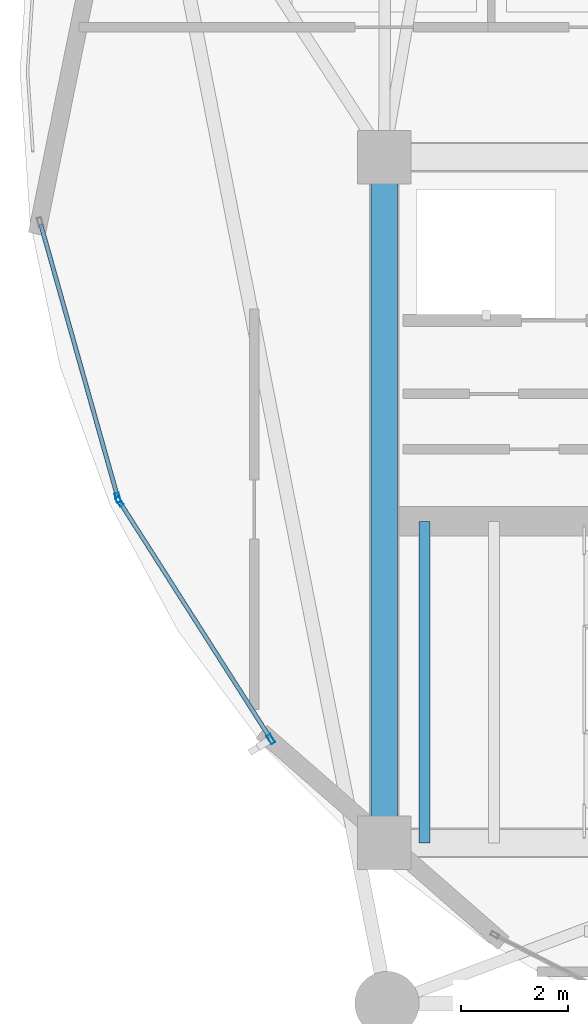
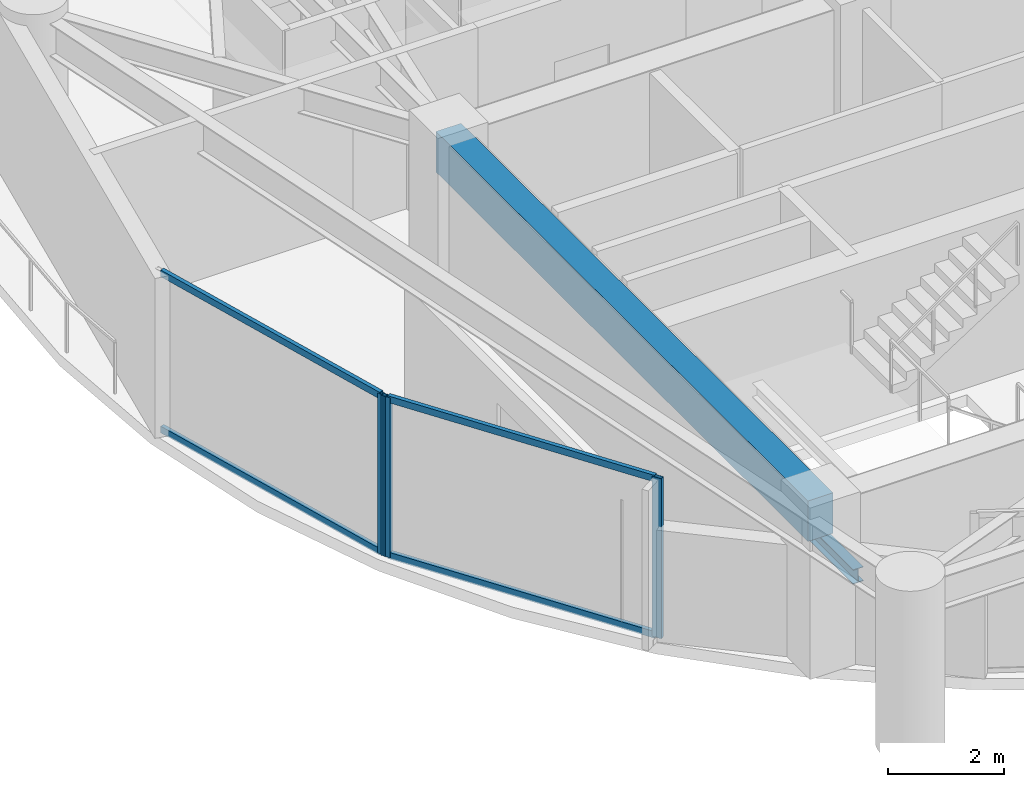
# One storey, part 3 of 28: 7 members, 2 beams, 2 elements without a shape of their own.
"""IFC4 building model written with IfcOpenShell, lengths in metres."""

import ifcopenshell
import ifcopenshell.guid

model = None  # the IFC model being written
_history = None  # IfcOwnerHistory: only IFC2X3 demands one
_inside = {}  # id of a spatial element -> (the spatial element, [elements in it])
_under = {}  # id of a project, library or spatial element -> (it, [spatial elements below it])
_declared = {}  # id of a project -> (the project, [libraries it declares])
_typed = {}  # id of a type object -> (the type object, [elements of that type])
_made_of = {}  # id of a material, layer set ... -> (it, [elements and type objects made of it])


def new_model(schema):
    """Start an empty IFC model of exactly this schema.

    Asked for "IFC4X3", IfcOpenShell would pick the latest addendum, in which some entities
    have other attributes; the version numbers below select the first issue.
    IFC2X3 requires an IfcOwnerHistory on every rooted entity: one is made here for all.
    """
    global model, _history
    if schema == "IFC4X3":
        model = ifcopenshell.file(schema_version=(4, 3, 0, 0))
    else:
        model = ifcopenshell.file(schema=schema)
    _inside.clear()
    _under.clear()
    _declared.clear()
    _typed.clear()
    _made_of.clear()
    _history = None
    if model.schema == "IFC2X3":
        org = make("IfcOrganization", Name="unknown")
        user = make(
            "IfcPersonAndOrganization",
            ThePerson=make("IfcPerson", FamilyName="unknown"),
            TheOrganization=org,
        )
        app = make(
            "IfcApplication",
            ApplicationDeveloper=org,
            Version="unknown",
            ApplicationFullName="unknown",
            ApplicationIdentifier="unknown",
        )
        _history = make(
            "IfcOwnerHistory",
            OwningUser=user,
            OwningApplication=app,
            ChangeAction="ADDED",
            CreationDate=0,
        )
    return model


def make(cls, **values):
    """One entity of the class cls with the attributes given. An attribute that is None is left unset."""
    return model.create_entity(
        cls, **{name: value for name, value in values.items() if value is not None}
    )


def rooted(cls, **values):
    """An entity with a GlobalId (a new one), such as an element, a storey or a relation."""
    return make(cls, GlobalId=ifcopenshell.guid.new(), OwnerHistory=_history, **values)


def si_unit(unit_type, name, prefix=None):
    """IfcSIUnit, for example si_unit("LENGTHUNIT", "METRE", prefix="MILLI")."""
    return make("IfcSIUnit", UnitType=unit_type, Prefix=prefix, Name=name)


def assignment(units):
    """IfcUnitAssignment: the units of a project."""
    return None if units is None else make("IfcUnitAssignment", Units=units)


def point(xyz):
    """IfcCartesianPoint."""
    return None if xyz is None else make("IfcCartesianPoint", Coordinates=xyz)


def direction(xyz):
    """IfcDirection."""
    return None if xyz is None else make("IfcDirection", DirectionRatios=xyz)


def frame(location, z_axis=None, x_axis=None):
    """IfcAxis2Placement3D, a coordinate frame: its origin and axes. An axis left out is left unset."""
    return make(
        "IfcAxis2Placement3D",
        Location=point(location),
        Axis=direction(z_axis),
        RefDirection=direction(x_axis),
    )


def frame_2d(location, x_axis=None):
    """IfcAxis2Placement2D, a coordinate frame in the plane: its origin and x axis."""
    return make(
        "IfcAxis2Placement2D", Location=point(location), RefDirection=direction(x_axis)
    )


def origin():
    """The frame at (0, 0, 0) with its axes left unset."""
    return frame((0.0, 0.0, 0.0))


def origin_2d():
    """The frame at (0, 0) in the plane with its x axis left unset."""
    return frame_2d((0.0, 0.0))


def place(relative_to, where):
    """IfcLocalPlacement: puts the frame where relative to a parent placement (None: the world)."""
    return make(
        "IfcLocalPlacement", PlacementRelTo=relative_to, RelativePlacement=where
    )


def context(
    kind, dimensions, precision=None, world=None, true_north=None, identifier=None
):
    """IfcGeometricRepresentationContext, for example the 3D "Model" context."""
    return make(
        "IfcGeometricRepresentationContext",
        ContextIdentifier=identifier,
        ContextType=kind,
        CoordinateSpaceDimension=dimensions,
        Precision=precision,
        WorldCoordinateSystem=world,
        TrueNorth=true_north,
    )


def subcontext(parent, identifier, kind, view, scale=None):
    """IfcGeometricRepresentationSubContext, for example "Body" below "Model"."""
    return make(
        "IfcGeometricRepresentationSubContext",
        ContextIdentifier=identifier,
        ContextType=kind,
        ParentContext=parent,
        TargetScale=scale,
        TargetView=view,
    )


def project(units=None, contexts=None):
    """IfcProject with its units and contexts."""
    return rooted(
        "IfcProject",
        Name="project",
        RepresentationContexts=contexts,
        UnitsInContext=assignment(units),
    )


def spatial(cls, under=None, at=None, **own):
    """A site, building, storey or space (cls), placed at a placement, below another one or the project."""
    s = rooted(cls, ObjectPlacement=at, **own)
    if under is not None:
        _under.setdefault(under.id(), (under, []))[1].append(s)
    return s


def profile(cls, at=None, kind="AREA", **sizes):
    """A parametric profile (cls). Its sizes go by their IFC names, for example OverallWidth=200.0."""
    return make(cls, ProfileType=kind, Position=at, **sizes)


def rectangle(**sizes):
    """IfcRectangleProfileDef."""
    return profile("IfcRectangleProfileDef", **sizes)


def hollow_rectangle(**sizes):
    """IfcRectangleHollowProfileDef."""
    return profile("IfcRectangleHollowProfileDef", **sizes)


def i_section(**sizes):
    """IfcIShapeProfileDef."""
    return profile("IfcIShapeProfileDef", **sizes)


def extrude(swept, where, along, depth):
    """IfcExtrudedAreaSolid: the profile swept, set in the frame where, extruded along a direction by depth."""
    return make(
        "IfcExtrudedAreaSolid",
        SweptArea=swept,
        Position=where,
        ExtrudedDirection=direction(along),
        Depth=depth,
    )


def shape(context_of_items, identifier, shape_type, items):
    """IfcShapeRepresentation: the items that make up one representation, for example the "Body"."""
    return make(
        "IfcShapeRepresentation",
        ContextOfItems=context_of_items,
        RepresentationIdentifier=identifier,
        RepresentationType=shape_type,
        Items=items,
    )


def material(Name=None, Category=None):
    """IfcMaterial."""
    return make("IfcMaterial", Name=Name, Category=Category)


def layer(
    of_material, thickness, ventilated=None, Name=None, Category=None, Priority=None
):
    """IfcMaterialLayer: one layer of a wall or slab, of a material (None: an air gap)."""
    return make(
        "IfcMaterialLayer",
        Material=of_material,
        LayerThickness=thickness,
        IsVentilated=ventilated,
        Name=Name,
        Category=Category,
        Priority=Priority,
    )


def layer_set(layers, Name=None):
    """IfcMaterialLayerSet."""
    return make("IfcMaterialLayerSet", MaterialLayers=layers, LayerSetName=Name)


def material_profile(
    of_material, cross_section, Name=None, Category=None, Priority=None
):
    """IfcMaterialProfile: a cross section and its material."""
    return make(
        "IfcMaterialProfile",
        Name=Name,
        Material=of_material,
        Profile=cross_section,
        Priority=Priority,
        Category=Category,
    )


def profile_set(profiles, Name=None, composite=None):
    """IfcMaterialProfileSet."""
    return make(
        "IfcMaterialProfileSet",
        Name=Name,
        MaterialProfiles=profiles,
        CompositeProfile=composite,
    )


def made_of(thing, what):
    """Note that an element or type object is made of a material, layer set ...; save() writes the relation."""
    if what is not None:
        _made_of.setdefault(what.id(), (what, []))[1].append(thing)
    return thing


def type_object(cls, material=None, **own):
    """A type object (cls), such as IfcWallType, which elements share."""
    return made_of(rooted(cls, **own), material)


def element(
    cls,
    number,
    at=None,
    inside=None,
    cuts=None,
    type_object=None,
    material=None,
    context=None,
    identifier="Body",
    shape_type=None,
    held_by="IfcProductDefinitionShape",
    body=None,
    shapes=None,
    **own,
):
    """One element of the class cls, such as IfcWall. Its Tag is "e" and its number.

    at: its placement. inside: the storey or other place that contains it. cuts: it is an
    opening in that element (IfcRelVoidsElement). A single representation is given by context,
    identifier, shape_type and body (its items); several are given by shapes. held_by: the class
    of the entity that holds the representations. save() writes the other relations.
    """
    e = rooted(cls, Tag="e%d" % number, ObjectPlacement=at, **own)
    if body is not None:
        shapes = [shape(context, identifier, shape_type, body)]
    if shapes is not None:
        e.Representation = make(held_by, Representations=shapes)
    if inside is not None:
        _inside.setdefault(inside.id(), (inside, []))[1].append(e)
    if cuts is not None:
        rooted(
            "IfcRelVoidsElement", RelatingBuildingElement=cuts, RelatedOpeningElement=e
        )
    if type_object is not None:
        _typed.setdefault(type_object.id(), (type_object, []))[1].append(e)
    return made_of(e, material)


def aggregate(whole, parts):
    """IfcRelAggregates: a whole, such as a stair, and the parts it consists of."""
    return rooted("IfcRelAggregates", RelatingObject=whole, RelatedObjects=parts)


def save(model, path):
    """Write the relations noted so far, then the file.

    IfcRelAggregates (storeys below a building ...), IfcRelContainedInSpatialStructure (elements
    in a storey), IfcRelDefinesByType, IfcRelAssociatesMaterial and IfcRelDeclares: one each for
    every whole, place, type object, material and project.
    """
    for whole, parts in _under.values():
        aggregate(whole, parts)
    for where, things in _inside.values():
        rooted(
            "IfcRelContainedInSpatialStructure",
            RelatedElements=things,
            RelatingStructure=where,
        )
    for kind, things in _typed.values():
        rooted("IfcRelDefinesByType", RelatedObjects=things, RelatingType=kind)
    for what, things in _made_of.values():
        rooted("IfcRelAssociatesMaterial", RelatedObjects=things, RelatingMaterial=what)
    for by, libraries in _declared.values():
        rooted("IfcRelDeclares", RelatingContext=by, RelatedDefinitions=libraries)
    model.write(path)


model = new_model("IFC4")

# Units and contexts
model_context = context("Model", 3, precision=1e-05, world=origin(), true_north=direction((0.0, 1.0)))
body_context = subcontext(model_context, "Body", "Model", "MODEL_VIEW")
ifc_project = project(units=[si_unit("LENGTHUNIT", "METRE"), si_unit("AREAUNIT", "SQUARE_METRE"), si_unit("VOLUMEUNIT", "CUBIC_METRE"), si_unit("PLANEANGLEUNIT", "RADIAN"), si_unit("MASSUNIT", "GRAM", prefix="KILO")], contexts=[model_context])

# Site, building, storey
site_placement = place(None, origin())
site = spatial("IfcSite", under=ifc_project, at=site_placement, CompositionType="ELEMENT")
building_placement = place(site_placement, origin())
building = spatial("IfcBuilding", under=site, at=building_placement, Name="Kazevale Care Tower and Concert Hall", CompositionType="ELEMENT")
storey_placement = place(building_placement, frame((0.0, 0.0, 109.800048828125)))
storey = spatial("IfcBuildingStorey", under=building, at=storey_placement, Name="L28", CompositionType="ELEMENT", Elevation=109.800048828125)

# Curtain wall, members
ifc_material_1 = material(Name="Aluminium 6063-T6 and Low-E Glass", Category="aluminium")
ifc_layer = layer(ifc_material_1, 0.179931640625)
ifc_layer_set = layer_set([ifc_layer], Name="Aluminium 6063-T6 and Low-E Glass")
curtain_wall_type = type_object("IfcCurtainWallType", Name="Waist & Upper Residential Curtain Wall CW-4", PredefinedType="NOTDEFINED", material=ifc_layer_set)
curtain_wall_1_placement = place(storey_placement, origin())
curtain_wall_1 = element("IfcCurtainWall", 1, at=curtain_wall_1_placement, inside=storey, type_object=curtain_wall_type, Name="cw:L28:f11", PredefinedType="NOTDEFINED")
ifc_material_2 = material(Name="Aluminium 6063-T6", Category="aluminium")
ifc_material_profile_1 = material_profile(ifc_material_2, hollow_rectangle(XDim=0.080078125, YDim=0.179931640625, WallThickness=0.0048828125, at=origin_2d()), Name="ALU80x180x5")
ifc_profile_set_1 = profile_set([ifc_material_profile_1], Name="Aluminium 6063-T6")
member_type_1 = type_object("IfcMemberType", Name="CW-4 Mullion ALU80x180x5", PredefinedType="MULLION", material=ifc_profile_set_1)
member_1_placement = place(storey_placement, frame((19.882568359375, 25.53564453125, 0.0), z_axis=(0.0, 0.0, 1.0), x_axis=(-0.843429930967, -0.537239193981, 0.0)))
member_1 = element("IfcMember", 2, at=member_1_placement, type_object=member_type_1, Name="CW-4 mullion 1", PredefinedType="MULLION", context=body_context, shape_type="SweptSolid", body=[
    extrude(hollow_rectangle(XDim=0.080078125, YDim=0.179931640625, WallThickness=0.0048828125, at=origin_2d()), origin(), (0.0, 0.0, 1.0), 3.35986328125),
])
member_2_placement = place(storey_placement, frame((17.05859375, 29.96923828125, 0.0), z_axis=(0.0, 0.0, 1.0), x_axis=(-0.843429930967, -0.537239193981, 0.0)))
member_2 = element("IfcMember", 3, at=member_2_placement, type_object=member_type_1, Name="CW-4 mullion 2", PredefinedType="MULLION", context=body_context, shape_type="SweptSolid", body=[
    extrude(hollow_rectangle(XDim=0.080078125, YDim=0.179931640625, WallThickness=0.0048828125, at=origin_2d()), origin(), (0.0, 0.0, 1.0), 3.35986328125),
])

# Curtain wall, member
curtain_wall_2_placement = place(storey_placement, origin())
curtain_wall_2 = element("IfcCurtainWall", 4, at=curtain_wall_2_placement, inside=storey, type_object=curtain_wall_type, Name="cw:L28:f12", PredefinedType="NOTDEFINED")
member_3_placement = place(storey_placement, frame((17.026123046875, 30.04150390625, 0.0), z_axis=(0.0, 0.0, 1.0), x_axis=(-0.962499078876, -0.271284948278, 0.0)))
member_3 = element("IfcMember", 5, at=member_3_placement, type_object=member_type_1, Name="CW-4 mullion 1", PredefinedType="MULLION", context=body_context, shape_type="SweptSolid", body=[
    extrude(hollow_rectangle(XDim=0.080078125, YDim=0.179931640625, WallThickness=0.0048828125, at=origin_2d()), origin(), (0.0, 0.0, 1.0), 3.35986328125),
])

# Member
ifc_material_profile_2 = material_profile(ifc_material_2, hollow_rectangle(XDim=0.080078125, YDim=0.139892578125, WallThickness=0.00390625, at=origin_2d()), Name="ALU80x140x4")
ifc_profile_set_2 = profile_set([ifc_material_profile_2], Name="Aluminium 6063-T6")
member_type_2 = type_object("IfcMemberType", Name="CW-4 Transom ALU80x140x4", PredefinedType="USERDEFINED", material=ifc_profile_set_2)
member_4_placement = place(storey_placement, frame((19.861083984375, 25.569580078125, 0.0400390625), z_axis=(-0.537241653837, 0.843428364109, 0.0), x_axis=(-0.843428364109, -0.537241653837, 0.0)))
member_4 = element("IfcMember", 6, at=member_4_placement, type_object=member_type_2, Name="CW-4 transom 1.1", ObjectType="TRANSOM", PredefinedType="USERDEFINED", context=body_context, shape_type="SweptSolid", body=[
    extrude(hollow_rectangle(XDim=0.080078125, YDim=0.139892578125, WallThickness=0.00390625, at=origin_2d()), origin(), (0.0, 0.0, 1.0), 5.176513671875),
])

member_5_placement = place(storey_placement, frame((19.861083984375, 25.569580078125, 3.320068359375), z_axis=(-0.537241653837, 0.843428364109, 0.0), x_axis=(-0.843428364109, -0.537241653837, 0.0)))
member_5 = element("IfcMember", 7, at=member_5_placement, type_object=member_type_2, Name="CW-4 transom 1.2", ObjectType="TRANSOM", PredefinedType="USERDEFINED", context=body_context, shape_type="SweptSolid", body=[
    extrude(hollow_rectangle(XDim=0.080078125, YDim=0.139892578125, WallThickness=0.00390625, at=origin_2d()), origin(), (0.0, 0.0, 1.0), 5.176513671875),
])

aggregate(curtain_wall_1, [member_1, member_2, member_4, member_5])

member_6_placement = place(storey_placement, frame((17.015380859375, 30.080078125, 0.0400390625), z_axis=(-0.271312503244, 0.962491311952, 0.0), x_axis=(-0.962491311952, -0.271312503244, 0.0)))
member_6 = element("IfcMember", 8, at=member_6_placement, type_object=member_type_2, Name="CW-4 transom 1.1", ObjectType="TRANSOM", PredefinedType="USERDEFINED", context=body_context, shape_type="SweptSolid", body=[
    extrude(hollow_rectangle(XDim=0.080078125, YDim=0.139892578125, WallThickness=0.00390625, at=origin_2d()), origin(), (0.0, 0.0, 1.0), 5.26220703125),
])

member_7_placement = place(storey_placement, frame((17.015380859375, 30.080078125, 3.320068359375), z_axis=(-0.271312503244, 0.962491311952, 0.0), x_axis=(-0.962491311952, -0.271312503244, 0.0)))
member_7 = element("IfcMember", 9, at=member_7_placement, type_object=member_type_2, Name="CW-4 transom 1.2", ObjectType="TRANSOM", PredefinedType="USERDEFINED", context=body_context, shape_type="SweptSolid", body=[
    extrude(hollow_rectangle(XDim=0.080078125, YDim=0.139892578125, WallThickness=0.00390625, at=origin_2d()), origin(), (0.0, 0.0, 1.0), 5.26220703125),
])

aggregate(curtain_wall_2, [member_3, member_6, member_7])

# Beams
ifc_material_3 = material(Name="Concrete C60", Category="concrete")
ifc_material_profile_3 = material_profile(ifc_material_3, rectangle(XDim=0.5, YDim=0.85009765625, at=origin_2d()), Name="RC-B500x850")
ifc_profile_set_3 = profile_set([ifc_material_profile_3], Name="Concrete C60")
beam_type_1 = type_object("IfcBeamType", Name="Core Coupling Beam RC500x850", PredefinedType="LINTEL", material=ifc_profile_set_3)
beam_1_placement = place(storey_placement, frame((22.0, 36.39990234375, 2.93505859375), z_axis=(0.0, -1.0, 0.0), x_axis=(1.0, 0.0, 0.0)))
element("IfcBeam", 10, at=beam_1_placement, inside=storey, type_object=beam_type_1, Name="beam:L28:coretie:8", PredefinedType="LINTEL", context=body_context, shape_type="SweptSolid", body=[
    extrude(rectangle(XDim=0.5, YDim=0.85009765625, at=origin_2d()), origin(), (0.0, 0.0, 1.0), 12.7998046875),
])
ifc_material_4 = material(Name="Steel ASTM A572 Gr 50", Category="steel")
ifc_material_profile_4 = material_profile(ifc_material_4, i_section(OverallWidth=0.202880859375, OverallDepth=0.302978515625, WebThickness=0.007568359375, FlangeThickness=0.01318359375, at=origin_2d()), Name="W310x60")
ifc_profile_set_4 = profile_set([ifc_material_profile_4], Name="Steel ASTM A572 Gr 50")
beam_type_2 = type_object("IfcBeamType", Name="Stair & Balcony Trimmer W310x60", PredefinedType="BEAM", material=ifc_profile_set_4)
beam_2_placement = place(storey_placement, frame((22.75, 23.60009765625, 1.448486328125), z_axis=(0.0, 1.0, 0.0), x_axis=(-1.0, 0.0, 0.0)))
element("IfcBeam", 11, at=beam_2_placement, inside=storey, type_object=beam_type_2, Name="beam:L28:sttrim:ST1", PredefinedType="BEAM", context=body_context, shape_type="SweptSolid", body=[
    extrude(i_section(OverallWidth=0.202880859375, OverallDepth=0.302978515625, WebThickness=0.007568359375, FlangeThickness=0.01318359375, at=origin_2d()), origin(), (0.0, 0.0, 1.0), 6.0),
])

save(model, "model.ifc")
